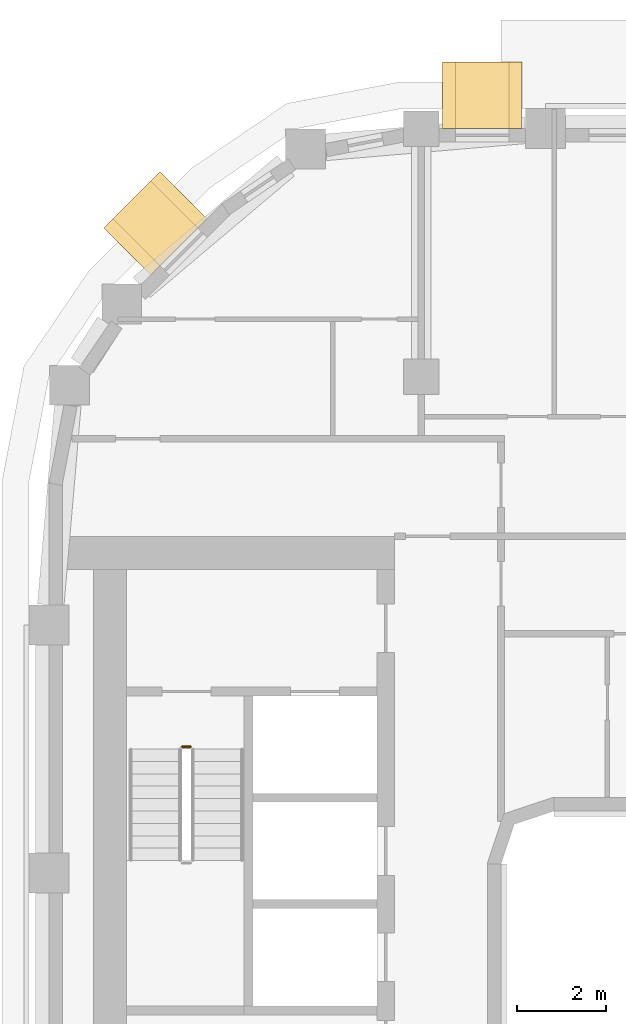
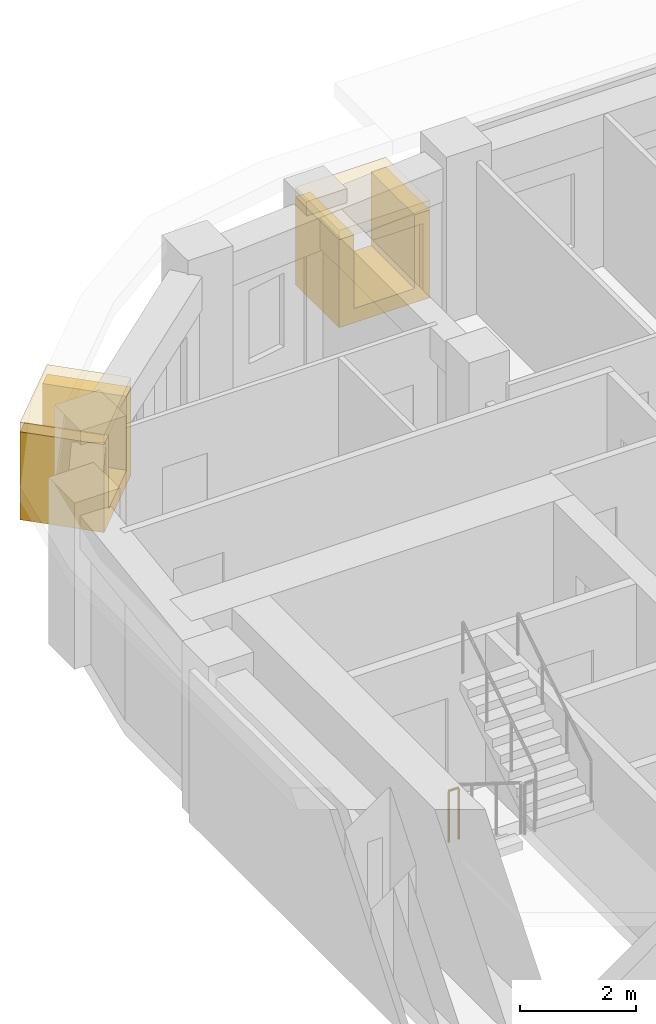
# One storey, part 19 of 21: 4 coverings, 1 railing.
"""IFC4 building model written with IfcOpenShell, lengths in metres."""

from ifc_helpers import new_model, si_unit, direction, frame, origin, origin_2d, place, context, subcontext, project, spatial, polyline, rectangle, circle, outline, extrude, material, layer, layer_set, type_object, element, save


model = new_model("IFC4")

# Units and contexts
model_context = context("Model", 3, precision=1e-05, world=origin(), true_north=direction((0.0, 1.0)))
body_context = subcontext(model_context, "Body", "Model", "MODEL_VIEW")
ifc_project = project(units=[si_unit("LENGTHUNIT", "METRE"), si_unit("AREAUNIT", "SQUARE_METRE"), si_unit("VOLUMEUNIT", "CUBIC_METRE"), si_unit("PLANEANGLEUNIT", "RADIAN"), si_unit("MASSUNIT", "GRAM", prefix="KILO")], contexts=[model_context])

# Site, building, storey
site_placement = place(None, origin())
site = spatial("IfcSite", under=ifc_project, at=site_placement, CompositionType="ELEMENT")
building_placement = place(site_placement, origin())
building = spatial("IfcBuilding", under=site, at=building_placement, Name="Kiln Ring Residences", CompositionType="ELEMENT")
storey_placement = place(building_placement, frame((0.0, 0.0, 199.39990234375)))
storey = spatial("IfcBuildingStorey", under=building, at=storey_placement, Name="L51", CompositionType="ELEMENT", Elevation=199.39990234375)

# Railing
ifc_material_1 = material(Name="Stainless steel", Category="steel")
railing_type = type_object("IfcRailingType", Name="CORE-STAIR-GUARD", PredefinedType="GUARDRAIL", material=ifc_material_1)
railing_placement = place(storey_placement, frame((-22.199951171875, 8.449951171875, 0.0)))
element("IfcRailing", 1, at=railing_placement, inside=storey, type_object=railing_type, Name="L51 W-STN stair guard 4", PredefinedType="GUARDRAIL", context=body_context, shape_type="SweptSolid", body=[
    extrude(circle(Radius=0.02392578125, at=origin_2d()), frame((0.0, 0.0, 1.076171875), z_axis=(1.0, 0.0, 0.0), x_axis=(0.0, 1.0, 0.0)), (0.0, 0.0, 1.0), 0.199951171875),
    extrude(circle(Radius=0.02099609375, at=origin_2d()), origin(), (0.0, 0.0, 1.0), 1.052001953125),
    extrude(circle(Radius=0.02099609375, at=origin_2d()), frame((0.199951171875, 0.0, 0.0)), (0.0, 0.0, 1.0), 1.052001953125),
])

# Coverings
ifc_material_2 = material(Name="Brick masonry, dark clay brick", Category="masonry")
ifc_layer_1 = layer(ifc_material_2, 0.300048828125)
ifc_layer_set_1 = layer_set([ifc_layer_1], Name="FRAME CHEEKS AND SILL 1500")
covering_type_1 = type_object("IfcCoveringType", Name="FRAME CHEEKS AND SILL 1500", PredefinedType="CLADDING", material=ifc_layer_set_1)
for number, where, z_axis, x_axis, name in (
    (2, (-14.52490234375, 23.14990234375, 0.300048828125), (0.0, 0.0, 1.0), (-1.0, 0.0, 0.0), "FRAME L51"),
    (3, (-22.163330078125, 20.8974609375, 0.300048828125), (0.0, 0.0, 1.0), (-0.707038962956, -0.707174592913, 0.0), "FRAME L51"),
):
    element("IfcCovering", number, at=place(storey_placement, frame(where, z_axis=z_axis, x_axis=x_axis)), inside=storey, type_object=covering_type_1, Name=name, PredefinedType="CLADDING", context=body_context, shape_type="SweptSolid", body=[
        extrude(outline(polyline([(0.0, 0.0), (1.800048828125, 0.0), (1.800048828125, 1.85009765625), (1.5009765625, 1.85009765625), (1.5, 0.300048828125), (0.300048828125, 0.300048828125), (0.299072265625, 1.85009765625), (0.0, 1.85009765625), (0.0, 0.0)])), frame((0.0, 0.75, 0.0), z_axis=(0.0, -1.0, 0.0), x_axis=(1.0, 0.0, 0.0)), (0.0, 0.0, 1.0), 1.5),
    ])
ifc_material_3 = material(Name="Brick masonry, dark clay brick", Category="masonry")
ifc_layer_2 = layer(ifc_material_3, 0.199951171875)
ifc_layer_set_2 = layer_set([ifc_layer_2], Name="FRAME HEAD 1500")
covering_type_2 = type_object("IfcCoveringType", Name="FRAME HEAD 1500", PredefinedType="CLADDING", material=ifc_layer_set_2)
for number, where, z_axis, x_axis, name in (
    (4, (-15.425048828125, 23.14990234375, 2.14990234375), (0.0, 0.0, 1.0), (-1.0, 0.0, 0.0), "FRAME HEAD L51"),
    (5, (-22.799560546875, 20.260986328125, 2.14990234375), (0.0, 0.0, 1.0), (-0.707106781187, -0.707106781187, 0.0), "FRAME HEAD L51"),
):
    element("IfcCovering", number, at=place(storey_placement, frame(where, z_axis=z_axis, x_axis=x_axis)), inside=storey, type_object=covering_type_2, Name=name, PredefinedType="CLADDING", context=body_context, shape_type="SweptSolid", body=[
        extrude(rectangle(XDim=1.800048828125, YDim=1.5, at=origin_2d()), origin(), (0.0, 0.0, 1.0), 0.199951171875),
    ])

save(model, "model.ifc")
